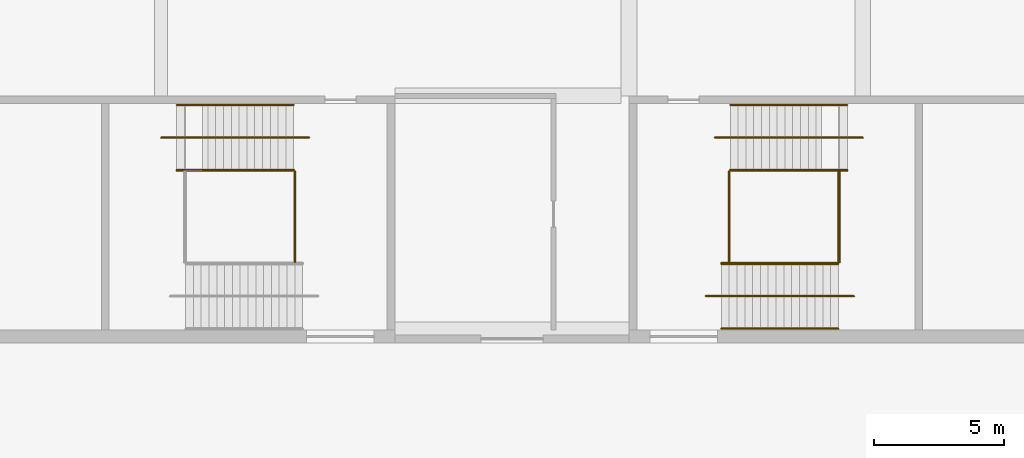
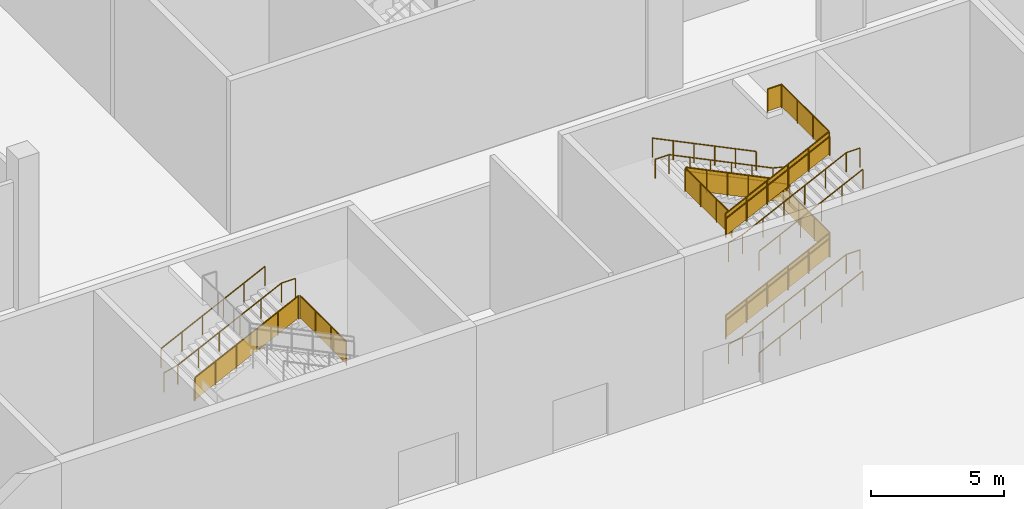
# One storey, part 57 of 92: 20 railings.
"""IFC4 building model written with IfcOpenShell, lengths in metres."""

from ifc_helpers import new_model, si_unit, direction, frame, origin, origin_2d, place, context, subcontext, project, spatial, polyline, circle, outline, extrude, material, type_object, element, save


model = new_model("IFC4")

# Units and contexts
model_context = context("Model", 3, precision=1e-05, world=origin(), true_north=direction((0.0, 1.0)))
body_context = subcontext(model_context, "Body", "Model", "MODEL_VIEW")
ifc_project = project(units=[si_unit("LENGTHUNIT", "METRE"), si_unit("AREAUNIT", "SQUARE_METRE"), si_unit("VOLUMEUNIT", "CUBIC_METRE"), si_unit("PLANEANGLEUNIT", "RADIAN"), si_unit("MASSUNIT", "GRAM", prefix="KILO")], contexts=[model_context])

# Site, building, storey
site_placement = place(None, origin())
site = spatial("IfcSite", under=ifc_project, at=site_placement, CompositionType="ELEMENT")
building_placement = place(site_placement, origin())
building = spatial("IfcBuilding", under=site, at=building_placement, Name="Silverbay Arena", CompositionType="ELEMENT")
storey_placement = place(building_placement, origin())
storey = spatial("IfcBuildingStorey", under=building, at=storey_placement, Name="L00", CompositionType="ELEMENT", Elevation=0.0)

# Railings
ifc_material_1 = material(Name="Stainless steel", Category="steel")
railing_type_1 = type_object("IfcRailingType", Name="Stair guard 1100", PredefinedType="GUARDRAIL", material=ifc_material_1)
railing_1_placement = place(storey_placement, frame((84.556884765625, 20.574951171875, 0.145751953125)))
element("IfcRailing", 1, at=railing_1_placement, inside=storey, type_object=railing_type_1, Name="Stair ST-S1 L00 to L01 flight 1 guard left", PredefinedType="GUARDRAIL", context=body_context, shape_type="SweptSolid", body=[
    extrude(circle(Radius=0.02392578125, at=origin_2d()), frame((0.0, 0.0, 1.076171875), z_axis=(0.899367854138, 0.0, 0.437192706873), x_axis=(0.0, 1.0, 0.0)), (0.0, 0.0, 1.0), 5.00341796875),
    extrude(outline(polyline([(-0.008056640625, 0.046142578125), (0.907958984375, 0.491455078125), (0.907958984375, 1.494384765625), (-0.008056640625, 1.049072265625), (-0.008056640625, 0.046142578125)])), frame((0.0, 0.0029296875, 0.0), z_axis=(0.0, -1.0, 0.0), x_axis=(1.0, 0.0, 0.0)), (0.0, 0.0, 1.0), 0.006103515625),
    extrude(outline(polyline([(-0.008056640625, 0.483642578125), (0.907958984375, 0.928955078125), (0.907958984375, 1.931884765625), (-0.008056640625, 1.486572265625), (-0.008056640625, 0.483642578125)])), frame((0.89990234375, 0.0029296875, 0.0), z_axis=(0.0, -1.0, 0.0), x_axis=(1.0, 0.0, 0.0)), (0.0, 0.0, 1.0), 0.006103515625),
    extrude(outline(polyline([(-0.008056640625, 0.921142578125), (0.907958984375, 1.366455078125), (0.907958984375, 2.369384765625), (-0.008056640625, 1.924072265625), (-0.008056640625, 0.921142578125)])), frame((1.800048828125, 0.0029296875, 0.0), z_axis=(0.0, -1.0, 0.0), x_axis=(1.0, 0.0, 0.0)), (0.0, 0.0, 1.0), 0.006103515625),
    extrude(outline(polyline([(-0.008056640625, 1.358642578125), (0.907958984375, 1.803955078125), (0.907958984375, 2.806884765625), (-0.008056640625, 2.361572265625), (-0.008056640625, 1.358642578125)])), frame((2.699951171875, 0.0029296875, 0.0), z_axis=(0.0, -1.0, 0.0), x_axis=(1.0, 0.0, 0.0)), (0.0, 0.0, 1.0), 0.006103515625),
    extrude(outline(polyline([(-0.008056640625, 1.796142578125), (0.907958984375, 2.241455078125), (0.907958984375, 3.244384765625), (-0.008056640625, 2.799072265625), (-0.008056640625, 1.796142578125)])), frame((3.60009765625, 0.0029296875, 0.0), z_axis=(0.0, -1.0, 0.0), x_axis=(1.0, 0.0, 0.0)), (0.0, 0.0, 1.0), 0.006103515625),
    extrude(circle(Radius=0.02099609375, at=origin_2d()), origin(), (0.0, 0.0, 1.0), 1.052001953125),
    extrude(circle(Radius=0.02099609375, at=origin_2d()), frame((0.89990234375, 0.0, 0.4375)), (0.0, 0.0, 1.0), 1.052001953125),
    extrude(circle(Radius=0.02099609375, at=origin_2d()), frame((1.800048828125, 0.0, 0.875)), (0.0, 0.0, 1.0), 1.052001953125),
    extrude(circle(Radius=0.02099609375, at=origin_2d()), frame((2.699951171875, 0.0, 1.3125)), (0.0, 0.0, 1.0), 1.052001953125),
    extrude(circle(Radius=0.02099609375, at=origin_2d()), frame((3.60009765625, 0.0, 1.75)), (0.0, 0.0, 1.0), 1.052001953125),
    extrude(circle(Radius=0.02099609375, at=origin_2d()), frame((4.5, 0.0, 2.1875)), (0.0, 0.0, 1.0), 1.052001953125),
])
railing_2_placement = place(storey_placement, frame((89.39990234375, 24.125, 2.479248046875)))
element("IfcRailing", 2, at=railing_2_placement, inside=storey, type_object=railing_type_1, Name="Stair ST-S1 L00 to L01 flight 2 guard right", PredefinedType="GUARDRAIL", context=body_context, shape_type="SweptSolid", body=[
    extrude(circle(Radius=0.02392578125, at=origin_2d()), frame((0.0, 0.0, 1.076171875), z_axis=(-0.899367854138, 0.0, 0.437192706873), x_axis=(0.0, -1.0, 0.0)), (0.0, 0.0, 1.0), 5.00341796875),
    extrude(outline(polyline([(-0.008056640625, 0.046142578125), (0.907958984375, 0.491455078125), (0.907958984375, 1.494384765625), (-0.008056640625, 1.049072265625), (-0.008056640625, 0.046142578125)])), frame((0.0, -0.0029296875, 0.0), z_axis=(0.0, 1.0, 0.0), x_axis=(-1.0, 0.0, 0.0)), (0.0, 0.0, 1.0), 0.006103515625),
    extrude(outline(polyline([(-0.008056640625, 0.483642578125), (0.907958984375, 0.928955078125), (0.907958984375, 1.931884765625), (-0.008056640625, 1.486572265625), (-0.008056640625, 0.483642578125)])), frame((-0.89990234375, -0.0029296875, 0.0), z_axis=(0.0, 1.0, 0.0), x_axis=(-1.0, 0.0, 0.0)), (0.0, 0.0, 1.0), 0.006103515625),
    extrude(outline(polyline([(-0.008056640625, 0.921142578125), (0.907958984375, 1.366455078125), (0.907958984375, 2.369384765625), (-0.008056640625, 1.924072265625), (-0.008056640625, 0.921142578125)])), frame((-1.800048828125, -0.0029296875, 0.0), z_axis=(0.0, 1.0, 0.0), x_axis=(-1.0, 0.0, 0.0)), (0.0, 0.0, 1.0), 0.006103515625),
    extrude(outline(polyline([(-0.008056640625, 1.358642578125), (0.907958984375, 1.803955078125), (0.907958984375, 2.806884765625), (-0.008056640625, 2.361572265625), (-0.008056640625, 1.358642578125)])), frame((-2.699951171875, -0.0029296875, 0.0), z_axis=(0.0, 1.0, 0.0), x_axis=(-1.0, 0.0, 0.0)), (0.0, 0.0, 1.0), 0.006103515625),
    extrude(outline(polyline([(-0.008056640625, 1.796142578125), (0.907958984375, 2.241455078125), (0.907958984375, 3.244384765625), (-0.008056640625, 2.799072265625), (-0.008056640625, 1.796142578125)])), frame((-3.60009765625, -0.0029296875, 0.0), z_axis=(0.0, 1.0, 0.0), x_axis=(-1.0, 0.0, 0.0)), (0.0, 0.0, 1.0), 0.006103515625),
    extrude(circle(Radius=0.02099609375, at=origin_2d()), origin(), (0.0, 0.0, 1.0), 1.052001953125),
    extrude(circle(Radius=0.02099609375, at=origin_2d()), frame((-0.89990234375, 0.0, 0.4375)), (0.0, 0.0, 1.0), 1.052001953125),
    extrude(circle(Radius=0.02099609375, at=origin_2d()), frame((-1.800048828125, 0.0, 0.875)), (0.0, 0.0, 1.0), 1.052001953125),
    extrude(circle(Radius=0.02099609375, at=origin_2d()), frame((-2.699951171875, 0.0, 1.3125)), (0.0, 0.0, 1.0), 1.052001953125),
    extrude(circle(Radius=0.02099609375, at=origin_2d()), frame((-3.60009765625, 0.0, 1.75)), (0.0, 0.0, 1.0), 1.052001953125),
    extrude(circle(Radius=0.02099609375, at=origin_2d()), frame((-4.5, 0.0, 2.1875)), (0.0, 0.0, 1.0), 1.052001953125),
])
railing_3_placement = place(storey_placement, frame((84.556884765625, 20.574951171875, 4.8125)))
element("IfcRailing", 3, at=railing_3_placement, inside=storey, type_object=railing_type_1, Name="Stair ST-S1 L00 to L01 flight 3 guard left", PredefinedType="GUARDRAIL", context=body_context, shape_type="SweptSolid", body=[
    extrude(circle(Radius=0.02392578125, at=origin_2d()), frame((0.0, 0.0, 1.076171875), z_axis=(0.899367854138, 0.0, 0.437192706873), x_axis=(0.0, 1.0, 0.0)), (0.0, 0.0, 1.0), 5.00341796875),
    extrude(outline(polyline([(-0.008056640625, 0.046142578125), (0.907958984375, 0.491455078125), (0.907958984375, 1.494384765625), (-0.008056640625, 1.049072265625), (-0.008056640625, 0.046142578125)])), frame((0.0, 0.0029296875, 0.0), z_axis=(0.0, -1.0, 0.0), x_axis=(1.0, 0.0, 0.0)), (0.0, 0.0, 1.0), 0.006103515625),
    extrude(outline(polyline([(-0.008056640625, 0.483642578125), (0.907958984375, 0.928955078125), (0.907958984375, 1.931884765625), (-0.008056640625, 1.486572265625), (-0.008056640625, 0.483642578125)])), frame((0.89990234375, 0.0029296875, 0.0), z_axis=(0.0, -1.0, 0.0), x_axis=(1.0, 0.0, 0.0)), (0.0, 0.0, 1.0), 0.006103515625),
    extrude(outline(polyline([(-0.008056640625, 0.921142578125), (0.907958984375, 1.366455078125), (0.907958984375, 2.369384765625), (-0.008056640625, 1.924072265625), (-0.008056640625, 0.921142578125)])), frame((1.800048828125, 0.0029296875, 0.0), z_axis=(0.0, -1.0, 0.0), x_axis=(1.0, 0.0, 0.0)), (0.0, 0.0, 1.0), 0.006103515625),
    extrude(outline(polyline([(-0.008056640625, 1.358642578125), (0.907958984375, 1.803955078125), (0.907958984375, 2.806884765625), (-0.008056640625, 2.361572265625), (-0.008056640625, 1.358642578125)])), frame((2.699951171875, 0.0029296875, 0.0), z_axis=(0.0, -1.0, 0.0), x_axis=(1.0, 0.0, 0.0)), (0.0, 0.0, 1.0), 0.006103515625),
    extrude(outline(polyline([(-0.008056640625, 1.796142578125), (0.907958984375, 2.241455078125), (0.907958984375, 3.244384765625), (-0.008056640625, 2.799072265625), (-0.008056640625, 1.796142578125)])), frame((3.60009765625, 0.0029296875, 0.0), z_axis=(0.0, -1.0, 0.0), x_axis=(1.0, 0.0, 0.0)), (0.0, 0.0, 1.0), 0.006103515625),
    extrude(circle(Radius=0.02099609375, at=origin_2d()), origin(), (0.0, 0.0, 1.0), 1.052001953125),
    extrude(circle(Radius=0.02099609375, at=origin_2d()), frame((0.89990234375, 0.0, 0.4375)), (0.0, 0.0, 1.0), 1.052001953125),
    extrude(circle(Radius=0.02099609375, at=origin_2d()), frame((1.800048828125, 0.0, 0.875)), (0.0, 0.0, 1.0), 1.052001953125),
    extrude(circle(Radius=0.02099609375, at=origin_2d()), frame((2.699951171875, 0.0, 1.3125)), (0.0, 0.0, 1.0), 1.052001953125),
    extrude(circle(Radius=0.02099609375, at=origin_2d()), frame((3.60009765625, 0.0, 1.75)), (0.0, 0.0, 1.0), 1.052001953125),
    extrude(circle(Radius=0.02099609375, at=origin_2d()), frame((4.5, 0.0, 2.1875)), (0.0, 0.0, 1.0), 1.052001953125),
])
for number, where, name in (
    (4, (89.10693359375, 24.10009765625, 2.333251953125), "Stair ST-S1 L00 to L01 landing 1 guard"),
    (5, (84.85009765625, 24.10009765625, 4.666748046875), "Stair ST-S1 L00 to L01 landing 2 guard"),
):
    element("IfcRailing", number, at=place(storey_placement, frame(where)), inside=storey, type_object=railing_type_1, Name=name, PredefinedType="GUARDRAIL", context=body_context, shape_type="SweptSolid", body=[
        extrude(circle(Radius=0.02392578125, at=origin_2d()), frame((0.0, 0.0, 1.076171875), z_axis=(0.0, -1.0, 0.0), x_axis=(1.0, 0.0, 0.0)), (0.0, 0.0, 1.0), 3.5),
        extrude(outline(polyline([(-0.008056640625, 0.050048828125), (1.174560546875, 0.050048828125), (1.174560546875, 1.052978515625), (-0.008056640625, 1.052978515625), (-0.008056640625, 0.050048828125)])), frame((0.0029296875, 0.0, 0.0), z_axis=(-1.0, 0.0, 0.0), x_axis=(0.0, -1.0, 0.0)), (0.0, 0.0, 1.0), 0.006103515625),
        extrude(outline(polyline([(-0.008056640625, 0.050048828125), (1.174560546875, 0.050048828125), (1.174560546875, 1.052978515625), (-0.008056640625, 1.052978515625), (-0.008056640625, 0.050048828125)])), frame((0.0029296875, -1.166748046875, 0.0), z_axis=(-1.0, 0.0, 0.0), x_axis=(0.0, -1.0, 0.0)), (0.0, 0.0, 1.0), 0.006103515625),
        extrude(outline(polyline([(-0.008056640625, 0.050048828125), (1.174560546875, 0.050048828125), (1.174560546875, 1.052978515625), (-0.008056640625, 1.052978515625), (-0.008056640625, 0.050048828125)])), frame((0.0029296875, -2.333251953125, 0.0), z_axis=(-1.0, 0.0, 0.0), x_axis=(0.0, -1.0, 0.0)), (0.0, 0.0, 1.0), 0.006103515625),
        extrude(circle(Radius=0.02099609375, at=origin_2d()), origin(), (0.0, 0.0, 1.0), 1.052001953125),
        extrude(circle(Radius=0.02099609375, at=origin_2d()), frame((0.0, -1.166748046875, 0.0)), (0.0, 0.0, 1.0), 1.052001953125),
        extrude(circle(Radius=0.02099609375, at=origin_2d()), frame((0.0, -2.333251953125, 0.0)), (0.0, 0.0, 1.0), 1.052001953125),
        extrude(circle(Radius=0.02099609375, at=origin_2d()), frame((0.0, -3.5, 0.0)), (0.0, 0.0, 1.0), 1.052001953125),
    ])
railing_4_placement = place(storey_placement, frame((88.449951171875, 24.14990234375, 7.0)))
element("IfcRailing", 6, at=railing_4_placement, inside=storey, type_object=railing_type_1, Name="Stair ST-S1 L00 to L01 landing 3 guard", PredefinedType="GUARDRAIL", context=body_context, shape_type="SweptSolid", body=[
    extrude(circle(Radius=0.02392578125, at=origin_2d()), frame((0.0, 0.0, 1.076171875), z_axis=(1.0, 0.0, 0.0), x_axis=(0.0, 1.0, 0.0)), (0.0, 0.0, 1.0), 0.60693359375),
    extrude(outline(polyline([(-0.008056640625, 0.050048828125), (0.614990234375, 0.050048828125), (0.614990234375, 1.052978515625), (-0.008056640625, 1.052978515625), (-0.008056640625, 0.050048828125)])), frame((0.0, 0.0029296875, 0.0), z_axis=(0.0, -1.0, 0.0), x_axis=(1.0, 0.0, 0.0)), (0.0, 0.0, 1.0), 0.006103515625),
    extrude(circle(Radius=0.02392578125, at=origin_2d()), frame((0.60693359375, 0.0, 1.076171875), z_axis=(0.0, -1.0, 0.0), x_axis=(1.0, 0.0, 0.0)), (0.0, 0.0, 1.0), 3.5498046875),
    extrude(outline(polyline([(-0.008056640625, 0.050048828125), (1.191162109375, 0.050048828125), (1.191162109375, 1.052978515625), (-0.008056640625, 1.052978515625), (-0.008056640625, 0.050048828125)])), frame((0.60986328125, 0.0, 0.0), z_axis=(-1.0, 0.0, 0.0), x_axis=(0.0, -1.0, 0.0)), (0.0, 0.0, 1.0), 0.006103515625),
    extrude(outline(polyline([(-0.008056640625, 0.050048828125), (1.191162109375, 0.050048828125), (1.191162109375, 1.052978515625), (-0.008056640625, 1.052978515625), (-0.008056640625, 0.050048828125)])), frame((0.60986328125, -1.183349609375, 0.0), z_axis=(-1.0, 0.0, 0.0), x_axis=(0.0, -1.0, 0.0)), (0.0, 0.0, 1.0), 0.006103515625),
    extrude(outline(polyline([(-0.008056640625, 0.050048828125), (1.191162109375, 0.050048828125), (1.191162109375, 1.052978515625), (-0.008056640625, 1.052978515625), (-0.008056640625, 0.050048828125)])), frame((0.60986328125, -2.366455078125, 0.0), z_axis=(-1.0, 0.0, 0.0), x_axis=(0.0, -1.0, 0.0)), (0.0, 0.0, 1.0), 0.006103515625),
    extrude(circle(Radius=0.02099609375, at=origin_2d()), origin(), (0.0, 0.0, 1.0), 1.052001953125),
    extrude(circle(Radius=0.02099609375, at=origin_2d()), frame((0.60693359375, 0.0, 0.0)), (0.0, 0.0, 1.0), 1.052001953125),
    extrude(circle(Radius=0.02099609375, at=origin_2d()), frame((0.60693359375, -1.183349609375, 0.0)), (0.0, 0.0, 1.0), 1.052001953125),
    extrude(circle(Radius=0.02099609375, at=origin_2d()), frame((0.60693359375, -2.366455078125, 0.0)), (0.0, 0.0, 1.0), 1.052001953125),
    extrude(circle(Radius=0.02099609375, at=origin_2d()), frame((0.60693359375, -3.5498046875, 0.0)), (0.0, 0.0, 1.0), 1.052001953125),
])
railing_5_placement = place(storey_placement, frame((63.60009765625, 24.125, 2.479248046875)))
element("IfcRailing", 7, at=railing_5_placement, inside=storey, type_object=railing_type_1, Name="Stair ST-S5 L00 to L01 flight 2 guard right", PredefinedType="GUARDRAIL", context=body_context, shape_type="SweptSolid", body=[
    extrude(circle(Radius=0.02392578125, at=origin_2d()), frame((0.0, 0.0, 1.076171875), z_axis=(0.899367854138, 0.0, 0.437192706873), x_axis=(0.0, 1.0, 0.0)), (0.0, 0.0, 1.0), 5.00341796875),
    extrude(outline(polyline([(-0.008056640625, 0.046142578125), (0.907958984375, 0.491455078125), (0.907958984375, 1.494384765625), (-0.008056640625, 1.049072265625), (-0.008056640625, 0.046142578125)])), frame((0.0, 0.0029296875, 0.0), z_axis=(0.0, -1.0, 0.0), x_axis=(1.0, 0.0, 0.0)), (0.0, 0.0, 1.0), 0.006103515625),
    extrude(outline(polyline([(-0.008056640625, 0.483642578125), (0.907958984375, 0.928955078125), (0.907958984375, 1.931884765625), (-0.008056640625, 1.486572265625), (-0.008056640625, 0.483642578125)])), frame((0.89990234375, 0.0029296875, 0.0), z_axis=(0.0, -1.0, 0.0), x_axis=(1.0, 0.0, 0.0)), (0.0, 0.0, 1.0), 0.006103515625),
    extrude(outline(polyline([(-0.008056640625, 0.921142578125), (0.907958984375, 1.366455078125), (0.907958984375, 2.369384765625), (-0.008056640625, 1.924072265625), (-0.008056640625, 0.921142578125)])), frame((1.800048828125, 0.0029296875, 0.0), z_axis=(0.0, -1.0, 0.0), x_axis=(1.0, 0.0, 0.0)), (0.0, 0.0, 1.0), 0.006103515625),
    extrude(outline(polyline([(-0.008056640625, 1.358642578125), (0.907958984375, 1.803955078125), (0.907958984375, 2.806884765625), (-0.008056640625, 2.361572265625), (-0.008056640625, 1.358642578125)])), frame((2.699951171875, 0.0029296875, 0.0), z_axis=(0.0, -1.0, 0.0), x_axis=(1.0, 0.0, 0.0)), (0.0, 0.0, 1.0), 0.006103515625),
    extrude(outline(polyline([(-0.008056640625, 1.796142578125), (0.907958984375, 2.241455078125), (0.907958984375, 3.244384765625), (-0.008056640625, 2.799072265625), (-0.008056640625, 1.796142578125)])), frame((3.60009765625, 0.0029296875, 0.0), z_axis=(0.0, -1.0, 0.0), x_axis=(1.0, 0.0, 0.0)), (0.0, 0.0, 1.0), 0.006103515625),
    extrude(circle(Radius=0.02099609375, at=origin_2d()), origin(), (0.0, 0.0, 1.0), 1.052001953125),
    extrude(circle(Radius=0.02099609375, at=origin_2d()), frame((0.89990234375, 0.0, 0.4375)), (0.0, 0.0, 1.0), 1.052001953125),
    extrude(circle(Radius=0.02099609375, at=origin_2d()), frame((1.800048828125, 0.0, 0.875)), (0.0, 0.0, 1.0), 1.052001953125),
    extrude(circle(Radius=0.02099609375, at=origin_2d()), frame((2.699951171875, 0.0, 1.3125)), (0.0, 0.0, 1.0), 1.052001953125),
    extrude(circle(Radius=0.02099609375, at=origin_2d()), frame((3.60009765625, 0.0, 1.75)), (0.0, 0.0, 1.0), 1.052001953125),
    extrude(circle(Radius=0.02099609375, at=origin_2d()), frame((4.5, 0.0, 2.1875)), (0.0, 0.0, 1.0), 1.052001953125),
])
railing_6_placement = place(storey_placement, frame((68.14990234375, 24.10009765625, 4.666748046875)))
element("IfcRailing", 8, at=railing_6_placement, inside=storey, type_object=railing_type_1, Name="Stair ST-S5 L00 to L01 landing 2 guard", PredefinedType="GUARDRAIL", context=body_context, shape_type="SweptSolid", body=[
    extrude(circle(Radius=0.02392578125, at=origin_2d()), frame((0.0, 0.0, 1.076171875), z_axis=(0.0, -1.0, 0.0), x_axis=(1.0, 0.0, 0.0)), (0.0, 0.0, 1.0), 3.5),
    extrude(outline(polyline([(-0.008056640625, 0.050048828125), (1.174560546875, 0.050048828125), (1.174560546875, 1.052978515625), (-0.008056640625, 1.052978515625), (-0.008056640625, 0.050048828125)])), frame((0.0029296875, 0.0, 0.0), z_axis=(-1.0, 0.0, 0.0), x_axis=(0.0, -1.0, 0.0)), (0.0, 0.0, 1.0), 0.006103515625),
    extrude(outline(polyline([(-0.008056640625, 0.050048828125), (1.174560546875, 0.050048828125), (1.174560546875, 1.052978515625), (-0.008056640625, 1.052978515625), (-0.008056640625, 0.050048828125)])), frame((0.0029296875, -1.166748046875, 0.0), z_axis=(-1.0, 0.0, 0.0), x_axis=(0.0, -1.0, 0.0)), (0.0, 0.0, 1.0), 0.006103515625),
    extrude(outline(polyline([(-0.008056640625, 0.050048828125), (1.174560546875, 0.050048828125), (1.174560546875, 1.052978515625), (-0.008056640625, 1.052978515625), (-0.008056640625, 0.050048828125)])), frame((0.0029296875, -2.333251953125, 0.0), z_axis=(-1.0, 0.0, 0.0), x_axis=(0.0, -1.0, 0.0)), (0.0, 0.0, 1.0), 0.006103515625),
    extrude(circle(Radius=0.02099609375, at=origin_2d()), origin(), (0.0, 0.0, 1.0), 1.052001953125),
    extrude(circle(Radius=0.02099609375, at=origin_2d()), frame((0.0, -1.166748046875, 0.0)), (0.0, 0.0, 1.0), 1.052001953125),
    extrude(circle(Radius=0.02099609375, at=origin_2d()), frame((0.0, -2.333251953125, 0.0)), (0.0, 0.0, 1.0), 1.052001953125),
    extrude(circle(Radius=0.02099609375, at=origin_2d()), frame((0.0, -3.5, 0.0)), (0.0, 0.0, 1.0), 1.052001953125),
])
ifc_material_2 = material(Name="Stainless steel", Category="steel")
railing_type_2 = type_object("IfcRailingType", Name="Stair handrail 900", PredefinedType="HANDRAIL", material=ifc_material_2)
for number, where, name in (
    (9, (84.556884765625, 20.535888671875, 0.145751953125), "Stair ST-S1 L00 to L01 flight 1 handrail left"),
    (10, (84.556884765625, 18.050048828125, 0.145751953125), "Stair ST-S1 L00 to L01 flight 1 handrail right"),
):
    element("IfcRailing", number, at=place(storey_placement, frame(where)), inside=storey, type_object=railing_type_2, Name=name, PredefinedType="HANDRAIL", context=body_context, shape_type="SweptSolid", body=[
        extrude(circle(Radius=0.02392578125, at=origin_2d()), frame((0.0, 0.0, 0.8759765625), z_axis=(0.899367854138, 0.0, 0.437192706873), x_axis=(0.0, 1.0, 0.0)), (0.0, 0.0, 1.0), 5.00341796875),
        extrude(circle(Radius=0.02099609375, at=origin_2d()), origin(), (0.0, 0.0, 1.0), 0.851806640625),
        extrude(circle(Radius=0.02099609375, at=origin_2d()), frame((0.89990234375, 0.0, 0.4375)), (0.0, 0.0, 1.0), 0.851806640625),
        extrude(circle(Radius=0.02099609375, at=origin_2d()), frame((1.800048828125, 0.0, 0.875)), (0.0, 0.0, 1.0), 0.851806640625),
        extrude(circle(Radius=0.02099609375, at=origin_2d()), frame((2.699951171875, 0.0, 1.3125)), (0.0, 0.0, 1.0), 0.851806640625),
        extrude(circle(Radius=0.02099609375, at=origin_2d()), frame((3.60009765625, 0.0, 1.75)), (0.0, 0.0, 1.0), 0.851806640625),
        extrude(circle(Radius=0.02099609375, at=origin_2d()), frame((4.5, 0.0, 2.1875)), (0.0, 0.0, 1.0), 0.851806640625),
    ])
railing_7_placement = place(storey_placement, frame((83.956787109375, 19.300048828125, 0.0)))
element("IfcRailing", 11, at=railing_7_placement, inside=storey, type_object=railing_type_2, Name="Stair ST-S1 L00 to L01 flight 1 central handrail", PredefinedType="HANDRAIL", context=body_context, shape_type="SweptSolid", body=[
    extrude(circle(Radius=0.02392578125, at=origin_2d()), frame((0.0, 0.0, 0.8759765625), z_axis=(0.971748522905, 0.0, 0.236018660771), x_axis=(0.0, 1.0, 0.0)), (0.0, 0.0, 1.0), 0.617431640625),
    extrude(circle(Radius=0.02392578125, at=origin_2d()), frame((0.60009765625, 0.0, 1.021484375), z_axis=(0.899367854138, 0.0, 0.437192706873), x_axis=(0.0, 1.0, 0.0)), (0.0, 0.0, 1.0), 5.00341796875),
    extrude(circle(Radius=0.02392578125, at=origin_2d()), frame((5.10009765625, 0.0, 3.208984375), z_axis=(1.0, 0.0, 0.0), x_axis=(0.0, 1.0, 0.0)), (0.0, 0.0, 1.0), 0.60009765625),
    extrude(circle(Radius=0.02099609375, at=origin_2d()), origin(), (0.0, 0.0, 1.0), 0.851806640625),
    extrude(circle(Radius=0.02099609375, at=origin_2d()), frame((0.60009765625, 0.0, 0.145751953125)), (0.0, 0.0, 1.0), 0.851806640625),
    extrude(circle(Radius=0.02099609375, at=origin_2d()), frame((1.5, 0.0, 0.583251953125)), (0.0, 0.0, 1.0), 0.851806640625),
    extrude(circle(Radius=0.02099609375, at=origin_2d()), frame((2.400146484375, 0.0, 1.020751953125)), (0.0, 0.0, 1.0), 0.851806640625),
    extrude(circle(Radius=0.02099609375, at=origin_2d()), frame((3.300048828125, 0.0, 1.458251953125)), (0.0, 0.0, 1.0), 0.851806640625),
    extrude(circle(Radius=0.02099609375, at=origin_2d()), frame((4.2001953125, 0.0, 1.895751953125)), (0.0, 0.0, 1.0), 0.851806640625),
    extrude(circle(Radius=0.02099609375, at=origin_2d()), frame((5.10009765625, 0.0, 2.333251953125)), (0.0, 0.0, 1.0), 0.851806640625),
    extrude(circle(Radius=0.02099609375, at=origin_2d()), frame((5.7001953125, 0.0, 2.333251953125)), (0.0, 0.0, 1.0), 0.851806640625),
])
for number, where, name in (
    (12, (89.39990234375, 26.64990234375, 2.479248046875), "Stair ST-S1 L00 to L01 flight 2 handrail left"),
    (13, (89.39990234375, 24.1640625, 2.479248046875), "Stair ST-S1 L00 to L01 flight 2 handrail right"),
):
    element("IfcRailing", number, at=place(storey_placement, frame(where)), inside=storey, type_object=railing_type_2, Name=name, PredefinedType="HANDRAIL", context=body_context, shape_type="SweptSolid", body=[
        extrude(circle(Radius=0.02392578125, at=origin_2d()), frame((0.0, 0.0, 0.8759765625), z_axis=(-0.899367854138, 0.0, 0.437192706873), x_axis=(0.0, -1.0, 0.0)), (0.0, 0.0, 1.0), 5.00341796875),
        extrude(circle(Radius=0.02099609375, at=origin_2d()), origin(), (0.0, 0.0, 1.0), 0.851806640625),
        extrude(circle(Radius=0.02099609375, at=origin_2d()), frame((-0.89990234375, 0.0, 0.4375)), (0.0, 0.0, 1.0), 0.851806640625),
        extrude(circle(Radius=0.02099609375, at=origin_2d()), frame((-1.800048828125, 0.0, 0.875)), (0.0, 0.0, 1.0), 0.851806640625),
        extrude(circle(Radius=0.02099609375, at=origin_2d()), frame((-2.699951171875, 0.0, 1.3125)), (0.0, 0.0, 1.0), 0.851806640625),
        extrude(circle(Radius=0.02099609375, at=origin_2d()), frame((-3.60009765625, 0.0, 1.75)), (0.0, 0.0, 1.0), 0.851806640625),
        extrude(circle(Radius=0.02099609375, at=origin_2d()), frame((-4.5, 0.0, 2.1875)), (0.0, 0.0, 1.0), 0.851806640625),
    ])
railing_8_placement = place(storey_placement, frame((90.0, 25.39990234375, 2.333251953125)))
element("IfcRailing", 14, at=railing_8_placement, inside=storey, type_object=railing_type_2, Name="Stair ST-S1 L00 to L01 flight 2 central handrail", PredefinedType="HANDRAIL", context=body_context, shape_type="SweptSolid", body=[
    extrude(circle(Radius=0.02392578125, at=origin_2d()), frame((0.0, 0.0, 0.8759765625), z_axis=(-0.971657787874, 0.0, 0.236391927237), x_axis=(0.0, -1.0, 0.0)), (0.0, 0.0, 1.0), 0.61767578125),
    extrude(circle(Radius=0.02392578125, at=origin_2d()), frame((-0.60009765625, 0.0, 1.02197265625), z_axis=(-0.899367854138, 0.0, 0.437192706873), x_axis=(0.0, -1.0, 0.0)), (0.0, 0.0, 1.0), 5.00341796875),
    extrude(circle(Radius=0.02392578125, at=origin_2d()), frame((-5.10009765625, 0.0, 3.20947265625), z_axis=(-1.0, 0.0, 0.0), x_axis=(0.0, -1.0, 0.0)), (0.0, 0.0, 1.0), 0.599853515625),
    extrude(circle(Radius=0.02099609375, at=origin_2d()), origin(), (0.0, 0.0, 1.0), 0.851806640625),
    extrude(circle(Radius=0.02099609375, at=origin_2d()), frame((-0.60009765625, 0.0, 0.14599609375)), (0.0, 0.0, 1.0), 0.851806640625),
    extrude(circle(Radius=0.02099609375, at=origin_2d()), frame((-1.5, 0.0, 0.58349609375)), (0.0, 0.0, 1.0), 0.851806640625),
    extrude(circle(Radius=0.02099609375, at=origin_2d()), frame((-2.400146484375, 0.0, 1.02099609375)), (0.0, 0.0, 1.0), 0.851806640625),
    extrude(circle(Radius=0.02099609375, at=origin_2d()), frame((-3.300048828125, 0.0, 1.45849609375)), (0.0, 0.0, 1.0), 0.851806640625),
    extrude(circle(Radius=0.02099609375, at=origin_2d()), frame((-4.2001953125, 0.0, 1.89599609375)), (0.0, 0.0, 1.0), 0.851806640625),
    extrude(circle(Radius=0.02099609375, at=origin_2d()), frame((-5.10009765625, 0.0, 2.33349609375)), (0.0, 0.0, 1.0), 0.851806640625),
    extrude(circle(Radius=0.02099609375, at=origin_2d()), frame((-5.699951171875, 0.0, 2.33349609375)), (0.0, 0.0, 1.0), 0.851806640625),
])
for number, where, name in (
    (15, (84.556884765625, 20.535888671875, 4.8125), "Stair ST-S1 L00 to L01 flight 3 handrail left"),
    (16, (84.556884765625, 18.050048828125, 4.8125), "Stair ST-S1 L00 to L01 flight 3 handrail right"),
):
    element("IfcRailing", number, at=place(storey_placement, frame(where)), inside=storey, type_object=railing_type_2, Name=name, PredefinedType="HANDRAIL", context=body_context, shape_type="SweptSolid", body=[
        extrude(circle(Radius=0.02392578125, at=origin_2d()), frame((0.0, 0.0, 0.8759765625), z_axis=(0.899367854138, 0.0, 0.437192706873), x_axis=(0.0, 1.0, 0.0)), (0.0, 0.0, 1.0), 5.00341796875),
        extrude(circle(Radius=0.02099609375, at=origin_2d()), origin(), (0.0, 0.0, 1.0), 0.851806640625),
        extrude(circle(Radius=0.02099609375, at=origin_2d()), frame((0.89990234375, 0.0, 0.4375)), (0.0, 0.0, 1.0), 0.851806640625),
        extrude(circle(Radius=0.02099609375, at=origin_2d()), frame((1.800048828125, 0.0, 0.875)), (0.0, 0.0, 1.0), 0.851806640625),
        extrude(circle(Radius=0.02099609375, at=origin_2d()), frame((2.699951171875, 0.0, 1.3125)), (0.0, 0.0, 1.0), 0.851806640625),
        extrude(circle(Radius=0.02099609375, at=origin_2d()), frame((3.60009765625, 0.0, 1.75)), (0.0, 0.0, 1.0), 0.851806640625),
        extrude(circle(Radius=0.02099609375, at=origin_2d()), frame((4.5, 0.0, 2.1875)), (0.0, 0.0, 1.0), 0.851806640625),
    ])
railing_9_placement = place(storey_placement, frame((83.956787109375, 19.300048828125, 4.666748046875)))
element("IfcRailing", 17, at=railing_9_placement, inside=storey, type_object=railing_type_2, Name="Stair ST-S1 L00 to L01 flight 3 central handrail", PredefinedType="HANDRAIL", context=body_context, shape_type="SweptSolid", body=[
    extrude(circle(Radius=0.02392578125, at=origin_2d()), frame((0.0, 0.0, 0.8759765625), z_axis=(0.971748522905, 0.0, 0.236018660771), x_axis=(0.0, 1.0, 0.0)), (0.0, 0.0, 1.0), 0.617431640625),
    extrude(circle(Radius=0.02392578125, at=origin_2d()), frame((0.60009765625, 0.0, 1.021484375), z_axis=(0.899367854138, 0.0, 0.437192706873), x_axis=(0.0, 1.0, 0.0)), (0.0, 0.0, 1.0), 5.00341796875),
    extrude(circle(Radius=0.02392578125, at=origin_2d()), frame((5.10009765625, 0.0, 3.208984375), z_axis=(1.0, 0.0, 0.0), x_axis=(0.0, 1.0, 0.0)), (0.0, 0.0, 1.0), 0.60009765625),
    extrude(circle(Radius=0.02099609375, at=origin_2d()), origin(), (0.0, 0.0, 1.0), 0.851806640625),
    extrude(circle(Radius=0.02099609375, at=origin_2d()), frame((0.60009765625, 0.0, 0.145751953125)), (0.0, 0.0, 1.0), 0.851806640625),
    extrude(circle(Radius=0.02099609375, at=origin_2d()), frame((1.5, 0.0, 0.583251953125)), (0.0, 0.0, 1.0), 0.851806640625),
    extrude(circle(Radius=0.02099609375, at=origin_2d()), frame((2.400146484375, 0.0, 1.020751953125)), (0.0, 0.0, 1.0), 0.851806640625),
    extrude(circle(Radius=0.02099609375, at=origin_2d()), frame((3.300048828125, 0.0, 1.458251953125)), (0.0, 0.0, 1.0), 0.851806640625),
    extrude(circle(Radius=0.02099609375, at=origin_2d()), frame((4.2001953125, 0.0, 1.895751953125)), (0.0, 0.0, 1.0), 0.851806640625),
    extrude(circle(Radius=0.02099609375, at=origin_2d()), frame((5.10009765625, 0.0, 2.333251953125)), (0.0, 0.0, 1.0), 0.851806640625),
    extrude(circle(Radius=0.02099609375, at=origin_2d()), frame((5.7001953125, 0.0, 2.333251953125)), (0.0, 0.0, 1.0), 0.851806640625),
])
for number, where, name in (
    (18, (63.60009765625, 26.64990234375, 2.479248046875), "Stair ST-S5 L00 to L01 flight 2 handrail left"),
    (19, (63.60009765625, 24.1640625, 2.479248046875), "Stair ST-S5 L00 to L01 flight 2 handrail right"),
):
    element("IfcRailing", number, at=place(storey_placement, frame(where)), inside=storey, type_object=railing_type_2, Name=name, PredefinedType="HANDRAIL", context=body_context, shape_type="SweptSolid", body=[
        extrude(circle(Radius=0.02392578125, at=origin_2d()), frame((0.0, 0.0, 0.8759765625), z_axis=(0.899367854138, 0.0, 0.437192706873), x_axis=(0.0, 1.0, 0.0)), (0.0, 0.0, 1.0), 5.00341796875),
        extrude(circle(Radius=0.02099609375, at=origin_2d()), origin(), (0.0, 0.0, 1.0), 0.851806640625),
        extrude(circle(Radius=0.02099609375, at=origin_2d()), frame((0.89990234375, 0.0, 0.4375)), (0.0, 0.0, 1.0), 0.851806640625),
        extrude(circle(Radius=0.02099609375, at=origin_2d()), frame((1.800048828125, 0.0, 0.875)), (0.0, 0.0, 1.0), 0.851806640625),
        extrude(circle(Radius=0.02099609375, at=origin_2d()), frame((2.699951171875, 0.0, 1.3125)), (0.0, 0.0, 1.0), 0.851806640625),
        extrude(circle(Radius=0.02099609375, at=origin_2d()), frame((3.60009765625, 0.0, 1.75)), (0.0, 0.0, 1.0), 0.851806640625),
        extrude(circle(Radius=0.02099609375, at=origin_2d()), frame((4.5, 0.0, 2.1875)), (0.0, 0.0, 1.0), 0.851806640625),
    ])
railing_10_placement = place(storey_placement, frame((63.0, 25.39990234375, 2.333251953125)))
element("IfcRailing", 20, at=railing_10_placement, inside=storey, type_object=railing_type_2, Name="Stair ST-S5 L00 to L01 flight 2 central handrail", PredefinedType="HANDRAIL", context=body_context, shape_type="SweptSolid", body=[
    extrude(circle(Radius=0.02392578125, at=origin_2d()), frame((0.0, 0.0, 0.8759765625), z_axis=(0.971657787874, 0.0, 0.236391927237), x_axis=(0.0, 1.0, 0.0)), (0.0, 0.0, 1.0), 0.61767578125),
    extrude(circle(Radius=0.02392578125, at=origin_2d()), frame((0.60009765625, 0.0, 1.02197265625), z_axis=(0.899367854138, 0.0, 0.437192706873), x_axis=(0.0, 1.0, 0.0)), (0.0, 0.0, 1.0), 5.00341796875),
    extrude(circle(Radius=0.02392578125, at=origin_2d()), frame((5.10009765625, 0.0, 3.20947265625), z_axis=(1.0, 0.0, 0.0), x_axis=(0.0, 1.0, 0.0)), (0.0, 0.0, 1.0), 0.599853515625),
    extrude(circle(Radius=0.02099609375, at=origin_2d()), origin(), (0.0, 0.0, 1.0), 0.851806640625),
    extrude(circle(Radius=0.02099609375, at=origin_2d()), frame((0.60009765625, 0.0, 0.14599609375)), (0.0, 0.0, 1.0), 0.851806640625),
    extrude(circle(Radius=0.02099609375, at=origin_2d()), frame((1.5, 0.0, 0.58349609375)), (0.0, 0.0, 1.0), 0.851806640625),
    extrude(circle(Radius=0.02099609375, at=origin_2d()), frame((2.400146484375, 0.0, 1.02099609375)), (0.0, 0.0, 1.0), 0.851806640625),
    extrude(circle(Radius=0.02099609375, at=origin_2d()), frame((3.300048828125, 0.0, 1.45849609375)), (0.0, 0.0, 1.0), 0.851806640625),
    extrude(circle(Radius=0.02099609375, at=origin_2d()), frame((4.2001953125, 0.0, 1.89599609375)), (0.0, 0.0, 1.0), 0.851806640625),
    extrude(circle(Radius=0.02099609375, at=origin_2d()), frame((5.10009765625, 0.0, 2.33349609375)), (0.0, 0.0, 1.0), 0.851806640625),
    extrude(circle(Radius=0.02099609375, at=origin_2d()), frame((5.699951171875, 0.0, 2.33349609375)), (0.0, 0.0, 1.0), 0.851806640625),
])

save(model, "model.ifc")
